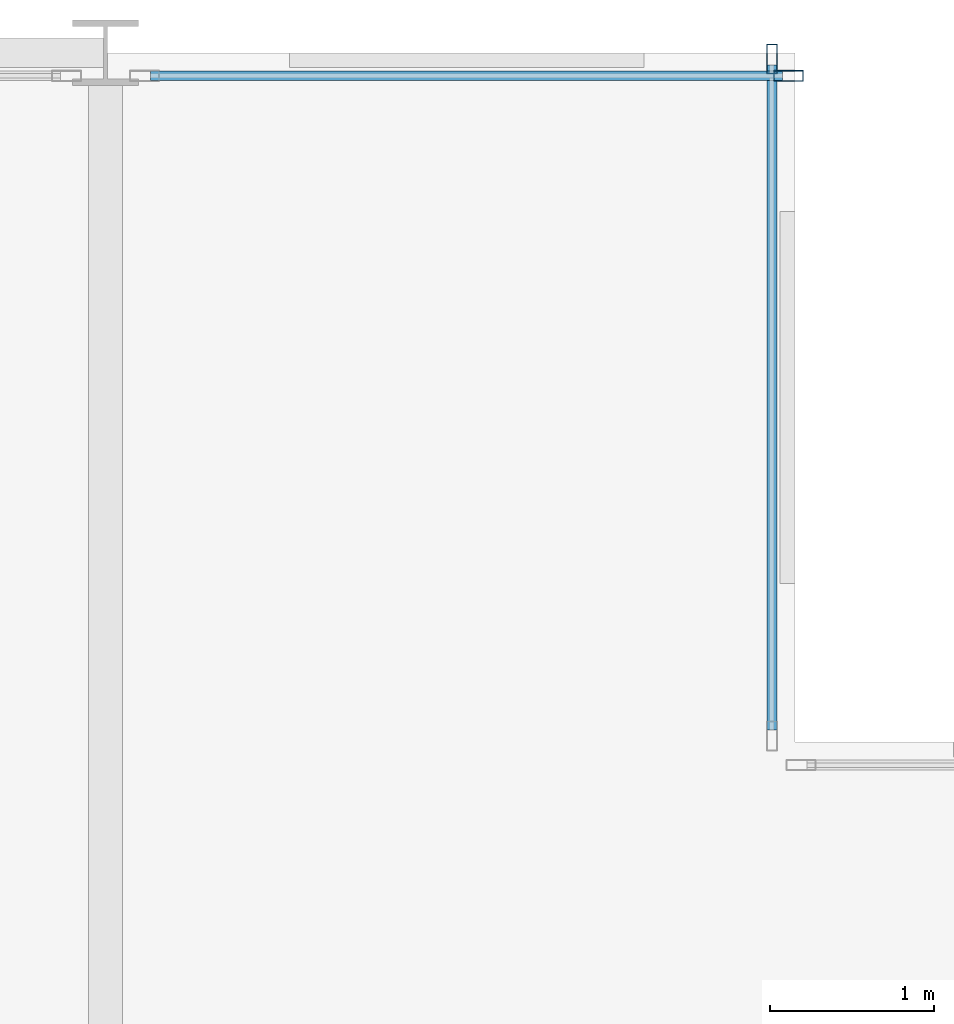
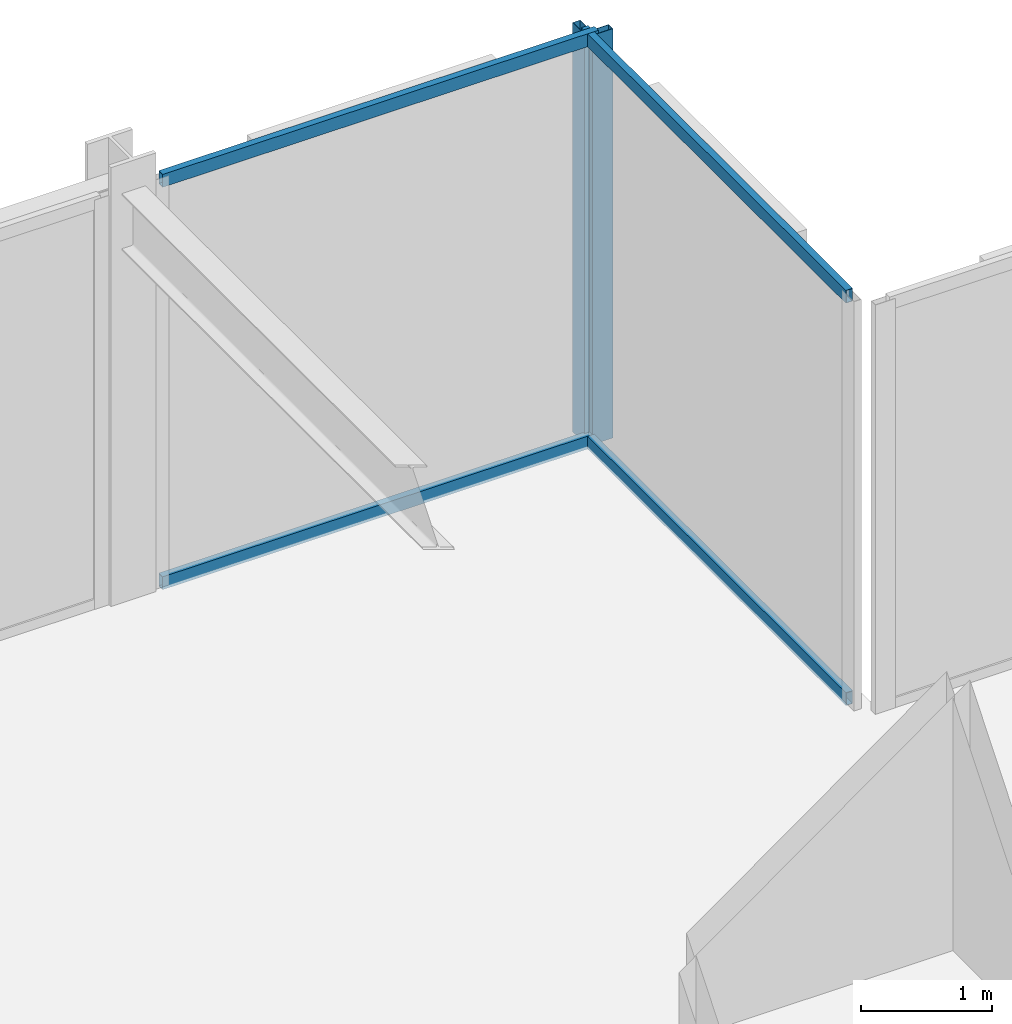
# One storey, part 22 of 29: 6 members, 2 elements without a shape of their own.
"""IFC4 building model written with IfcOpenShell, lengths in metres."""

from ifc_helpers import new_model, si_unit, direction, frame, origin, origin_2d, place, context, subcontext, project, spatial, hollow_rectangle, extrude, material, layer, layer_set, material_profile, profile_set, type_object, element, aggregate, save


model = new_model("IFC4")

# Units and contexts
model_context = context("Model", 3, precision=1e-05, world=origin(), true_north=direction((0.0, 1.0)))
body_context = subcontext(model_context, "Body", "Model", "MODEL_VIEW")
ifc_project = project(units=[si_unit("LENGTHUNIT", "METRE"), si_unit("AREAUNIT", "SQUARE_METRE"), si_unit("VOLUMEUNIT", "CUBIC_METRE"), si_unit("PLANEANGLEUNIT", "RADIAN"), si_unit("MASSUNIT", "GRAM", prefix="KILO")], contexts=[model_context])

# Site, building, storey
site_placement = place(None, origin())
site = spatial("IfcSite", under=ifc_project, at=site_placement, CompositionType="ELEMENT")
building_placement = place(site_placement, origin())
building = spatial("IfcBuilding", under=site, at=building_placement, Name="Nerrivon Quay Data Exchange", CompositionType="ELEMENT")
storey_placement = place(building_placement, frame((0.0, 0.0, 137.699951171875)))
storey = spatial("IfcBuildingStorey", under=building, at=storey_placement, Name="L32", CompositionType="ELEMENT", Elevation=137.699951171875)

# Curtain wall, member
ifc_material = material(Name="Anodised aluminium 6063-T6", Category="aluminium")
ifc_layer = layer(ifc_material, 0.2099609375)
ifc_layer_set = layer_set([ifc_layer], Name="Anodised aluminium 6063-T6")
curtain_wall_type = type_object("IfcCurtainWallType", Name="CW-SYS-02", PredefinedType="NOTDEFINED", material=ifc_layer_set)
curtain_wall_1_placement = place(storey_placement, origin())
curtain_wall_1 = element("IfcCurtainWall", 1, at=curtain_wall_1_placement, inside=storey, type_object=curtain_wall_type, Name="L32 Unitised Curtain Wall 20", PredefinedType="NOTDEFINED")
ifc_material_profile_1 = material_profile(ifc_material, hollow_rectangle(XDim=0.06494140625, YDim=0.179931640625, WallThickness=0.00341796875, at=origin_2d()), Name="ALU-MULL-180x65")
ifc_profile_set_1 = profile_set([ifc_material_profile_1], Name="Anodised aluminium 6063-T6")
member_type_1 = type_object("IfcMemberType", Name="CWM-180x65", PredefinedType="MULLION", material=ifc_profile_set_1)
member_1_placement = place(storey_placement, frame((20.96240234375, 50.260009765625, 0.0), z_axis=(0.0, 0.0, 1.0), x_axis=(0.0, 1.0, 0.0)))
member_1 = element("IfcMember", 2, at=member_1_placement, type_object=member_type_1, Name="CW02 mullion 2", PredefinedType="MULLION", context=body_context, shape_type="SweptSolid", body=[
    extrude(hollow_rectangle(XDim=0.06494140625, YDim=0.179931640625, WallThickness=0.00341796875, at=origin_2d()), origin(), (0.0, 0.0, 1.0), 3.824951171875),
])

curtain_wall_2_placement = place(storey_placement, origin())
curtain_wall_2 = element("IfcCurtainWall", 3, at=curtain_wall_2_placement, inside=storey, type_object=curtain_wall_type, Name="L32 Unitised Curtain Wall 21", PredefinedType="NOTDEFINED")
member_2_placement = place(storey_placement, frame((20.860107421875, 50.362548828125, 0.0), z_axis=(0.0, 0.0, 1.0), x_axis=(1.0, 0.0, 0.0)))
member_2 = element("IfcMember", 4, at=member_2_placement, type_object=member_type_1, Name="CW02 mullion 1", PredefinedType="MULLION", context=body_context, shape_type="SweptSolid", body=[
    extrude(hollow_rectangle(XDim=0.06494140625, YDim=0.179931640625, WallThickness=0.00341796875, at=origin_2d()), origin(), (0.0, 0.0, 1.0), 3.824951171875),
])

# Member
ifc_material_profile_2 = material_profile(ifc_material, hollow_rectangle(XDim=0.06005859375, YDim=0.1201171875, WallThickness=0.003173828125, at=origin_2d()), Name="ALU-TRAN-120x60")
ifc_profile_set_2 = profile_set([ifc_material_profile_2], Name="Anodised aluminium 6063-T6")
member_type_2 = type_object("IfcMemberType", Name="CWT-120x60", PredefinedType="USERDEFINED", material=ifc_profile_set_2)
member_3_placement = place(storey_placement, frame((17.074951171875, 50.260009765625, 0.032470703125), z_axis=(1.0, 0.0, 0.0), x_axis=(0.0, 1.0, 0.0)))
member_3 = element("IfcMember", 5, at=member_3_placement, type_object=member_type_2, Name="CW02 transom 1.1", ObjectType="TRANSOM", PredefinedType="USERDEFINED", context=body_context, shape_type="SweptSolid", body=[
    extrude(hollow_rectangle(XDim=0.06005859375, YDim=0.1201171875, WallThickness=0.003173828125, at=origin_2d()), origin(), (0.0, 0.0, 1.0), 3.85009765625),
])

member_4_placement = place(storey_placement, frame((17.074951171875, 50.260009765625, 3.79248046875), z_axis=(1.0, 0.0, 0.0), x_axis=(0.0, 1.0, 0.0)))
member_4 = element("IfcMember", 6, at=member_4_placement, type_object=member_type_2, Name="CW02 transom 1.2", ObjectType="TRANSOM", PredefinedType="USERDEFINED", context=body_context, shape_type="SweptSolid", body=[
    extrude(hollow_rectangle(XDim=0.06005859375, YDim=0.1201171875, WallThickness=0.003173828125, at=origin_2d()), origin(), (0.0, 0.0, 1.0), 3.85009765625),
])

aggregate(curtain_wall_1, [member_1, member_3, member_4])

member_5_placement = place(storey_placement, frame((20.860107421875, 50.324951171875, 0.032470703125), z_axis=(0.0, -1.0, 0.0), x_axis=(1.0, 0.0, 0.0)))
member_5 = element("IfcMember", 7, at=member_5_placement, type_object=member_type_2, Name="CW02 transom 1.1", ObjectType="TRANSOM", PredefinedType="USERDEFINED", context=body_context, shape_type="SweptSolid", body=[
    extrude(hollow_rectangle(XDim=0.06005859375, YDim=0.1201171875, WallThickness=0.003173828125, at=origin_2d()), origin(), (0.0, 0.0, 1.0), 4.050048828125),
])

member_6_placement = place(storey_placement, frame((20.860107421875, 50.324951171875, 3.79248046875), z_axis=(0.0, -1.0, 0.0), x_axis=(1.0, 0.0, 0.0)))
member_6 = element("IfcMember", 8, at=member_6_placement, type_object=member_type_2, Name="CW02 transom 1.2", ObjectType="TRANSOM", PredefinedType="USERDEFINED", context=body_context, shape_type="SweptSolid", body=[
    extrude(hollow_rectangle(XDim=0.06005859375, YDim=0.1201171875, WallThickness=0.003173828125, at=origin_2d()), origin(), (0.0, 0.0, 1.0), 4.050048828125),
])

aggregate(curtain_wall_2, [member_2, member_5, member_6])

save(model, "model.ifc")
